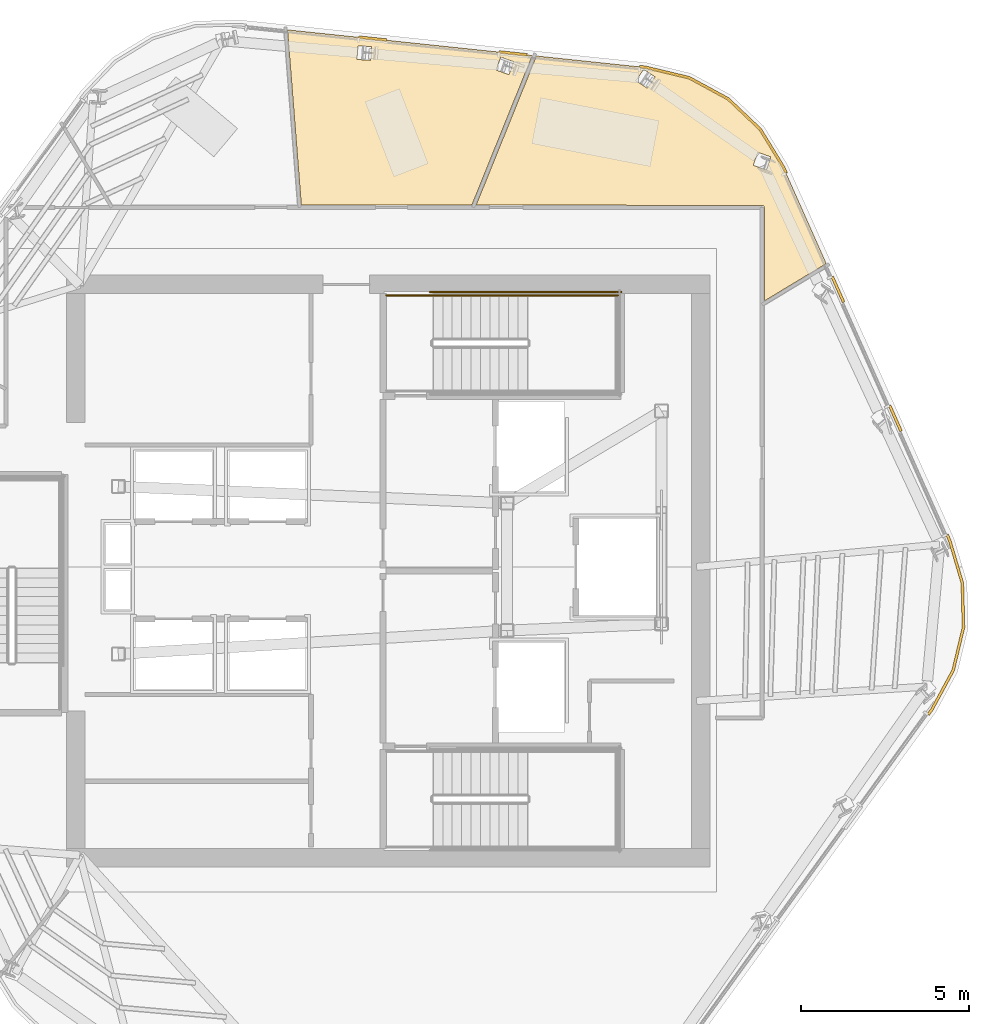
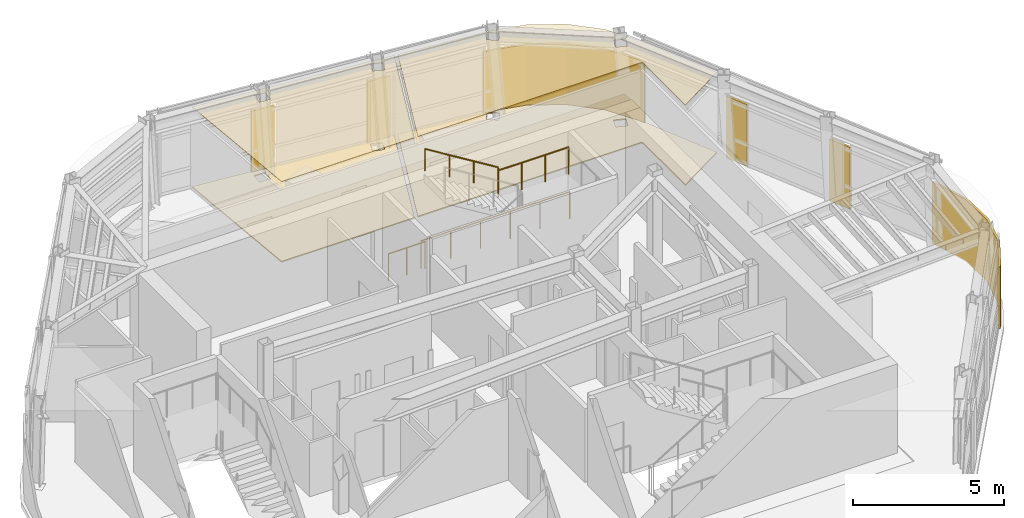
# One storey, part 11 of 12: 10 coverings, 4 railings.
"""IFC4 building model written with IfcOpenShell, lengths in metres."""

from ifc_helpers import new_model, si_unit, direction, frame, origin, origin_2d, place, context, subcontext, project, spatial, polyline, circle, outline, extrude, material, layer, layer_set, type_object, element, save


model = new_model("IFC4")

# Units and contexts
model_context = context("Model", 3, precision=1e-05, world=origin(), true_north=direction((0.0, 1.0)))
body_context = subcontext(model_context, "Body", "Model", "MODEL_VIEW")
ifc_project = project(units=[si_unit("LENGTHUNIT", "METRE"), si_unit("AREAUNIT", "SQUARE_METRE"), si_unit("VOLUMEUNIT", "CUBIC_METRE"), si_unit("PLANEANGLEUNIT", "RADIAN"), si_unit("MASSUNIT", "GRAM", prefix="KILO")], contexts=[model_context])

# Site, building, storey
site_placement = place(None, origin())
site = spatial("IfcSite", under=ifc_project, at=site_placement, CompositionType="ELEMENT")
building_placement = place(site_placement, origin())
building = spatial("IfcBuilding", under=site, at=building_placement, Name="Valkerne Bourse Tower", CompositionType="ELEMENT")
storey_placement = place(building_placement, frame((0.0, 0.0, 258.39990234375)))
storey = spatial("IfcBuildingStorey", under=building, at=storey_placement, Name="L65", CompositionType="ELEMENT", Elevation=258.39990234375)

# Coverings
ifc_material_1 = material(Name="Mineral Fiber Acoustic Ceiling Tile", Category="acoustic")
ifc_layer_1 = layer(ifc_material_1, 0.02490234375)
ifc_layer_set_1 = layer_set([ifc_layer_1], Name="Mineral Fiber Acoustic Ceiling Tile")
covering_type_1 = type_object("IfcCoveringType", Name="COV-CEIL-ACT", PredefinedType="CEILING", material=ifc_layer_set_1)
covering_1_placement = place(storey_placement, frame((0.0, 0.0, 3.25)))
element("IfcCovering", 1, at=covering_1_placement, inside=storey, type_object=covering_type_1, Name="L65 Suspended Ceiling 04", PredefinedType="CEILING", context=body_context, shape_type="SweptSolid", body=[
    extrude(outline(polyline([(44.210205078125, 37.7890625), (43.79833984375, 43.019287109375), (51.098388671875, 42.251953125), (49.29541015625, 37.7890625), (44.210205078125, 37.7890625)]), holes=[polyline([(46.277587890625, 42.110107421875), (46.3037109375, 42.518310546875), (45.898681640625, 42.54443359375), (45.896484375, 42.54443359375), (45.870361328125, 42.135986328125), (46.275390625, 42.10986328125), (46.277587890625, 42.110107421875)]), polyline([(50.5419921875, 42.068603515625), (50.1591796875, 42.203857421875), (50.156982421875, 42.204345703125), (50.02099609375, 41.818603515625), (50.40380859375, 41.68310546875), (50.40576171875, 41.6826171875), (50.5419921875, 42.068603515625)])]), origin(), (0.0, 0.0, 1.0), 0.025146484375),
])
covering_2_placement = place(storey_placement, frame((0.0, 0.0, 3.25)))
element("IfcCovering", 2, at=covering_2_placement, inside=storey, type_object=covering_type_1, Name="L65 Suspended Ceiling 06", PredefinedType="CEILING", context=body_context, shape_type="SweptSolid", body=[
    extrude(outline(polyline([(56.939453125, 40.955810546875), (57.896484375, 40.047607421875), (58.591064453125, 38.914306640625), (59.8671875, 36.048095703125), (58.01904296875, 34.931884765625), (58.01904296875, 37.720703125), (58.005859375, 37.7607421875), (57.972900390625, 37.785400390625), (49.422607421875, 37.7890625), (51.220703125, 42.239013671875), (54.487548828125, 41.895751953125), (55.77978515625, 41.58544921875), (56.939453125, 40.955810546875)]), holes=[polyline([(58.210693359375, 39.232177734375), (57.824462890625, 39.364501953125), (57.69189453125, 38.97998046875), (57.693603515625, 38.978515625), (58.080078125, 38.845947265625), (58.212646484375, 39.23046875), (58.210693359375, 39.232177734375)]), polyline([(54.423828125, 41.842529296875), (54.421630859375, 41.84375), (54.192138671875, 41.5048828125), (54.5283203125, 41.277099609375), (54.5302734375, 41.27587890625), (54.759765625, 41.614990234375), (54.423828125, 41.842529296875)])]), origin(), (0.0, 0.0, 1.0), 0.025146484375),
])
ifc_material_2 = material(Name="Bronze Anodised Aluminium AA 6063-T6", Category="aluminium")
ifc_layer_2 = layer(ifc_material_2, 0.06005859375)
ifc_layer_set_2 = layer_set([ifc_layer_2], Name="Bronze Anodised Aluminium AA 6063-T6")
covering_type_2 = type_object("IfcCoveringType", Name="COV-CRN-ALUM", PredefinedType="CLADDING", material=ifc_layer_set_2)
covering_3_placement = place(storey_placement, origin())
element("IfcCovering", 3, at=covering_3_placement, inside=storey, type_object=covering_type_2, Name="L65 Wind-Shaped Corner Aluminium Cladding 01", PredefinedType="CLADDING", context=body_context, shape_type="SweptSolid", body=[
    extrude(outline(polyline([(63.965087890625, 26.52294921875), (64.0, 25.192138671875), (63.689208984375, 23.897705078125), (63.05078125, 22.72216796875), (62.937255859375, 22.56591796875), (62.87255859375, 22.613037109375), (62.98291015625, 22.764892578125), (63.614013671875, 23.9267578125), (63.919677734375, 25.20068359375), (63.885498046875, 26.51025390625), (63.510009765625, 27.77783203125), (63.43359375, 27.949462890625), (63.506591796875, 27.982177734375), (63.585205078125, 27.805419921875), (63.965087890625, 26.52294921875)])), origin(), (0.0, 0.0, 1.0), 2.5),
])
covering_4_placement = place(storey_placement, origin())
element("IfcCovering", 4, at=covering_4_placement, inside=storey, type_object=covering_type_2, Name="L65 Wind-Shaped Corner Aluminium Cladding 14", PredefinedType="CLADDING", context=body_context, shape_type="SweptSolid", body=[
    extrude(outline(polyline([(46.76025390625, 42.752197265625), (46.751953125, 42.672607421875), (45.91650390625, 42.76025390625), (45.9248046875, 42.83984375), (46.76025390625, 42.752197265625)])), origin(), (0.0, 0.0, 1.0), 2.5),
])
covering_5_placement = place(storey_placement, origin())
element("IfcCovering", 5, at=covering_5_placement, inside=storey, type_object=covering_type_2, Name="L65 Wind-Shaped Corner Aluminium Cladding 15", PredefinedType="CLADDING", context=body_context, shape_type="SweptSolid", body=[
    extrude(outline(polyline([(50.94921875, 42.311767578125), (50.94091796875, 42.232177734375), (50.10546875, 42.320068359375), (50.114013671875, 42.399658203125), (50.94921875, 42.311767578125)])), origin(), (0.0, 0.0, 1.0), 2.5),
])
covering_6_placement = place(storey_placement, origin())
element("IfcCovering", 6, at=covering_6_placement, inside=storey, type_object=covering_type_2, Name="L65 Wind-Shaped Corner Aluminium Cladding 16", PredefinedType="CLADDING", context=body_context, shape_type="SweptSolid", body=[
    extrude(outline(polyline([(54.494873046875, 41.939208984375), (55.7958984375, 41.626708984375), (56.965576171875, 40.99169921875), (57.93115234375, 40.075439453125), (58.630126953125, 38.934814453125), (58.708740234375, 38.75830078125), (58.635498046875, 38.7255859375), (58.55908203125, 38.8974609375), (57.868408203125, 40.024658203125), (56.918212890625, 40.926513671875), (55.766845703125, 41.551513671875), (54.4814453125, 41.860107421875), (54.29443359375, 41.8798828125), (54.302734375, 41.959228515625), (54.494873046875, 41.939208984375)])), origin(), (0.0, 0.0, 1.0), 2.5),
])
covering_7_placement = place(storey_placement, origin())
element("IfcCovering", 7, at=covering_7_placement, inside=storey, type_object=covering_type_2, Name="L65 Wind-Shaped Corner Aluminium Cladding 17", PredefinedType="CLADDING", context=body_context, shape_type="SweptSolid", body=[
    extrude(outline(polyline([(60.421875, 34.910400390625), (60.348876953125, 34.877685546875), (60.007080078125, 35.645263671875), (60.080078125, 35.677734375), (60.421875, 34.910400390625)])), origin(), (0.0, 0.0, 1.0), 2.5),
])
covering_8_placement = place(storey_placement, origin())
element("IfcCovering", 8, at=covering_8_placement, inside=storey, type_object=covering_type_2, Name="L65 Wind-Shaped Corner Aluminium Cladding 18", PredefinedType="CLADDING", context=body_context, shape_type="SweptSolid", body=[
    extrude(outline(polyline([(62.135009765625, 31.0625), (62.06201171875, 31.030029296875), (61.72021484375, 31.79736328125), (61.79345703125, 31.830078125), (62.135009765625, 31.0625)])), origin(), (0.0, 0.0, 1.0), 2.5),
])
ifc_material_3 = material(Name="Galvanised Painted Steel", Category="steel")
ifc_layer_3 = layer(ifc_material_3, 0.044921875)
ifc_layer_set_3 = layer_set([ifc_layer_3], Name="Galvanised Painted Steel")
covering_type_3 = type_object("IfcCoveringType", Name="COV-FLR-RAF", PredefinedType="FLOORING", material=ifc_layer_set_3)
covering_9_placement = place(storey_placement, origin())
element("IfcCovering", 9, at=covering_9_placement, inside=storey, type_object=covering_type_3, Name="L65 Floor Finish 04", PredefinedType="FLOORING", context=body_context, shape_type="SweptSolid", body=[
    extrude(outline(polyline([(44.210205078125, 37.7890625), (43.79833984375, 43.019287109375), (51.098388671875, 42.251953125), (49.29541015625, 37.7890625), (44.210205078125, 37.7890625)]), holes=[polyline([(46.277587890625, 42.110107421875), (46.3037109375, 42.518310546875), (45.898681640625, 42.54443359375), (45.896484375, 42.54443359375), (45.870361328125, 42.135986328125), (46.275390625, 42.10986328125), (46.277587890625, 42.110107421875)]), polyline([(50.5419921875, 42.068603515625), (50.1591796875, 42.203857421875), (50.156982421875, 42.204345703125), (50.02099609375, 41.818603515625), (50.40380859375, 41.68310546875), (50.40576171875, 41.6826171875), (50.5419921875, 42.068603515625)])]), origin(), (0.0, 0.0, 1.0), 0.045166015625),
])
covering_10_placement = place(storey_placement, origin())
element("IfcCovering", 10, at=covering_10_placement, inside=storey, type_object=covering_type_3, Name="L65 Floor Finish 06", PredefinedType="FLOORING", context=body_context, shape_type="SweptSolid", body=[
    extrude(outline(polyline([(56.939453125, 40.955810546875), (57.896484375, 40.047607421875), (58.591064453125, 38.914306640625), (59.8671875, 36.048095703125), (58.01904296875, 34.931884765625), (58.01904296875, 37.720703125), (58.005859375, 37.7607421875), (57.972900390625, 37.785400390625), (49.422607421875, 37.7890625), (51.220703125, 42.239013671875), (54.487548828125, 41.895751953125), (55.77978515625, 41.58544921875), (56.939453125, 40.955810546875)]), holes=[polyline([(58.210693359375, 39.232177734375), (57.824462890625, 39.364501953125), (57.69189453125, 38.97998046875), (57.693603515625, 38.978515625), (58.080078125, 38.845947265625), (58.212646484375, 39.23046875), (58.210693359375, 39.232177734375)]), polyline([(54.423828125, 41.842529296875), (54.421630859375, 41.84375), (54.192138671875, 41.5048828125), (54.5283203125, 41.277099609375), (54.5302734375, 41.27587890625), (54.759765625, 41.614990234375), (54.423828125, 41.842529296875)])]), origin(), (0.0, 0.0, 1.0), 0.045166015625),
])

# Railings
railing_type_1 = type_object("IfcRailingType", Name="RLG-ST-GUARD-1120", PredefinedType="GUARDRAIL", material=ifc_material_3)
railing_1_placement = place(storey_placement, frame((50.949951171875, 35.10009765625, 1.900146484375)))
element("IfcRailing", 11, at=railing_1_placement, inside=storey, type_object=railing_type_1, Name="L65 ST-2 stair guard 4", PredefinedType="GUARDRAIL", context=body_context, shape_type="SweptSolid", body=[
    extrude(circle(Radius=0.02392578125, at=origin_2d()), frame((0.0, 0.0, 1.09619140625), z_axis=(1.0, 0.0, 0.0), x_axis=(0.0, 1.0, 0.0)), (0.0, 0.0, 1.0), 2.699951171875),
    extrude(circle(Radius=0.02099609375, at=origin_2d()), origin(), (0.0, 0.0, 1.0), 1.072021484375),
    extrude(circle(Radius=0.02099609375, at=origin_2d()), frame((0.89990234375, 0.0, 0.0)), (0.0, 0.0, 1.0), 1.072021484375),
    extrude(circle(Radius=0.02099609375, at=origin_2d()), frame((1.800048828125, 0.0, 0.0)), (0.0, 0.0, 1.0), 1.072021484375),
    extrude(circle(Radius=0.02099609375, at=origin_2d()), frame((2.699951171875, 0.0, 0.0)), (0.0, 0.0, 1.0), 1.072021484375),
])
railing_2_placement = place(storey_placement, frame((46.75, 35.10009765625, 0.0)))
element("IfcRailing", 12, at=railing_2_placement, inside=storey, type_object=railing_type_1, Name="L65 ST-2 stair guard 9", PredefinedType="GUARDRAIL", context=body_context, shape_type="SweptSolid", body=[
    extrude(circle(Radius=0.02392578125, at=origin_2d()), frame((0.0, 0.0, 1.09619140625), z_axis=(1.0, 0.0, 0.0), x_axis=(0.0, 1.0, 0.0)), (0.0, 0.0, 1.0), 1.39990234375),
    extrude(circle(Radius=0.02099609375, at=origin_2d()), origin(), (0.0, 0.0, 1.0), 1.072021484375),
    extrude(circle(Radius=0.02099609375, at=origin_2d()), frame((0.699951171875, 0.0, 0.0)), (0.0, 0.0, 1.0), 1.072021484375),
    extrude(circle(Radius=0.02099609375, at=origin_2d()), frame((1.39990234375, 0.0, 0.0)), (0.0, 0.0, 1.0), 1.072021484375),
])
railing_3_placement = place(storey_placement, frame((48.050048828125, 35.199951171875, 0.0)))
element("IfcRailing", 13, at=railing_3_placement, inside=storey, type_object=railing_type_1, Name="L65 ST-2 stair guard 11", PredefinedType="GUARDRAIL", context=body_context, shape_type="SweptSolid", body=[
    extrude(circle(Radius=0.02392578125, at=origin_2d()), frame((0.0, 0.0, 1.09619140625), z_axis=(1.0, 0.0, 0.0), x_axis=(0.0, 1.0, 0.0)), (0.0, 0.0, 1.0), 5.699951171875),
    extrude(circle(Radius=0.02099609375, at=origin_2d()), origin(), (0.0, 0.0, 1.0), 1.072021484375),
    extrude(circle(Radius=0.02099609375, at=origin_2d()), frame((1.139892578125, 0.0, 0.0)), (0.0, 0.0, 1.0), 1.072021484375),
    extrude(circle(Radius=0.02099609375, at=origin_2d()), frame((2.280029296875, 0.0, 0.0)), (0.0, 0.0, 1.0), 1.072021484375),
    extrude(circle(Radius=0.02099609375, at=origin_2d()), frame((3.419921875, 0.0, 0.0)), (0.0, 0.0, 1.0), 1.072021484375),
    extrude(circle(Radius=0.02099609375, at=origin_2d()), frame((4.56005859375, 0.0, 0.0)), (0.0, 0.0, 1.0), 1.072021484375),
    extrude(circle(Radius=0.02099609375, at=origin_2d()), frame((5.699951171875, 0.0, 0.0)), (0.0, 0.0, 1.0), 1.072021484375),
])
ifc_material_4 = material(Name="Stainless Steel AISI 316", Category="steel")
railing_type_2 = type_object("IfcRailingType", Name="RLG-ST-HANDRAIL-900", PredefinedType="HANDRAIL", material=ifc_material_4)
railing_4_placement = place(storey_placement, frame((50.949951171875, 35.10009765625, 2.24560546875)))
element("IfcRailing", 14, at=railing_4_placement, inside=storey, type_object=railing_type_2, Name="L65 ST-2 stair handrail 2", PredefinedType="HANDRAIL", context=body_context, shape_type="SweptSolid", body=[
    extrude(circle(Radius=0.02392578125, at=origin_2d()), frame((0.0, 0.0, 0.8759765625), z_axis=(-0.851089632645, 0.0, 0.525020415988), x_axis=(0.0, -1.0, 0.0)), (0.0, 0.0, 1.0), 3.2900390625),
    extrude(circle(Radius=0.02099609375, at=origin_2d()), origin(), (0.0, 0.0, 1.0), 0.851806640625),
    extrude(circle(Radius=0.02099609375, at=origin_2d()), frame((-0.933349609375, 0.0, 0.57568359375)), (0.0, 0.0, 1.0), 0.851806640625),
    extrude(circle(Radius=0.02099609375, at=origin_2d()), frame((-1.86669921875, 0.0, 1.151611328125)), (0.0, 0.0, 1.0), 0.851806640625),
    extrude(circle(Radius=0.02099609375, at=origin_2d()), frame((-2.800048828125, 0.0, 1.727294921875)), (0.0, 0.0, 1.0), 0.851806640625),
])

save(model, "model.ifc")
